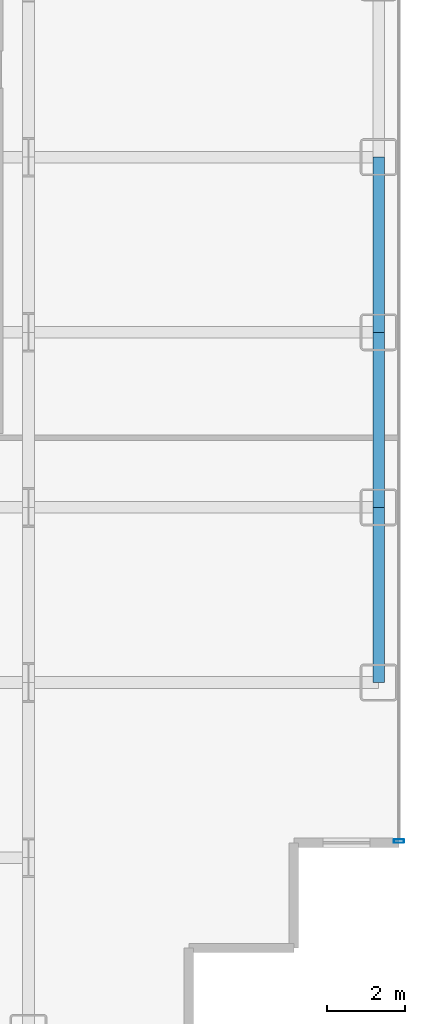
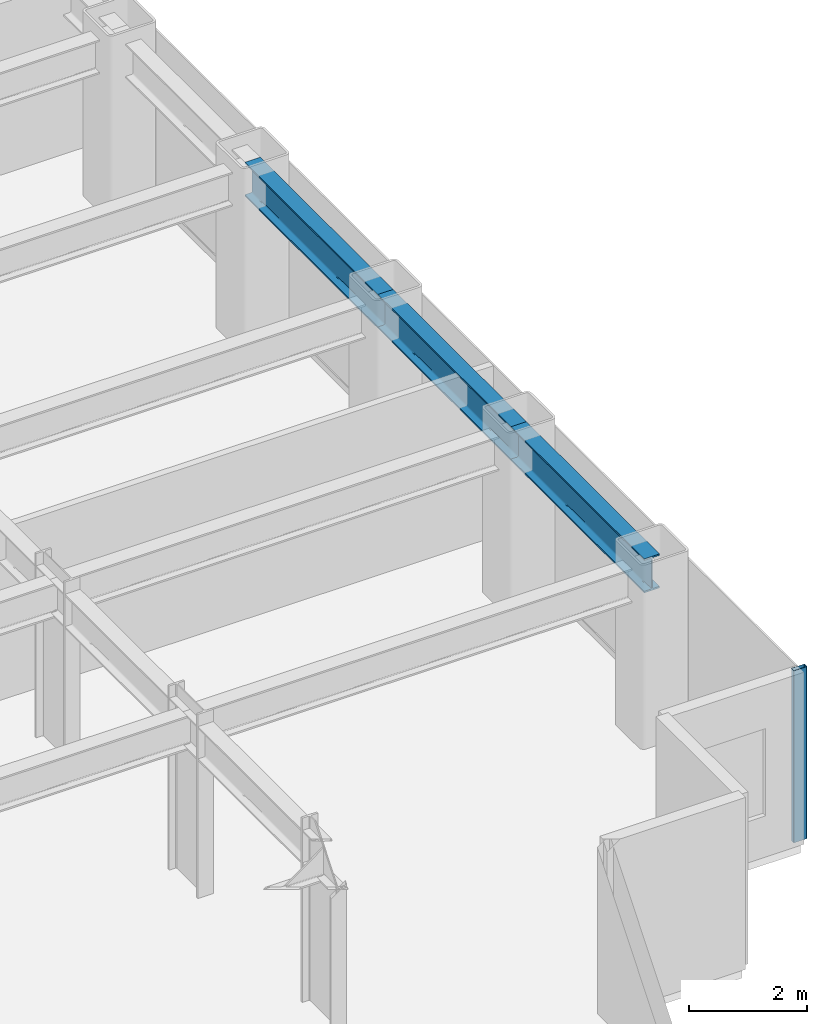
# One storey, part 16 of 27: 3 beams, 1 member, 1 element without a shape of its own.
"""IFC4 building model written with IfcOpenShell, lengths in metres."""

from ifc_helpers import new_model, si_unit, direction, frame, origin, origin_2d, place, context, subcontext, project, spatial, hollow_rectangle, i_section, extrude, source, transform, mapped, material, layer, layer_set, material_profile, profile_set, type_object, element, aggregate, save


model = new_model("IFC4")

# Units and contexts
model_context = context("Model", 3, precision=1e-05, world=origin(), true_north=direction((0.0, 1.0)))
body_context = subcontext(model_context, "Body", "Model", "MODEL_VIEW")
ifc_project = project(units=[si_unit("LENGTHUNIT", "METRE"), si_unit("AREAUNIT", "SQUARE_METRE"), si_unit("VOLUMEUNIT", "CUBIC_METRE"), si_unit("PLANEANGLEUNIT", "RADIAN"), si_unit("MASSUNIT", "GRAM", prefix="KILO")], contexts=[model_context])

# Site, building, storey
site_placement = place(None, origin())
site = spatial("IfcSite", under=ifc_project, at=site_placement, CompositionType="ELEMENT")
building_placement = place(site_placement, origin())
building = spatial("IfcBuilding", under=site, at=building_placement, Name="Nefas-Gora Pilgrimage Tower", CompositionType="ELEMENT")
storey_placement = place(building_placement, frame((0.0, 0.0, 48.199951171875)))
storey = spatial("IfcBuildingStorey", under=building, at=storey_placement, Name="L10", CompositionType="ELEMENT", Elevation=48.199951171875)

# Beams
ifc_material_1 = material(Name="Steel S355", Category="steel")
ifc_material_profile_1 = material_profile(ifc_material_1, i_section(OverallWidth=0.300048828125, OverallDepth=0.699951171875, WebThickness=0.01708984375, FlangeThickness=0.031982421875, FilletRadius=0.027099609375, at=origin_2d()), Name="HEB 700")
ifc_profile_set_1 = profile_set([ifc_material_profile_1], Name="Steel S355")
beam_type = type_object("IfcBeamType", Name="BM-SPN-HEB600", PredefinedType="SPANDREL", material=ifc_profile_set_1)
shared_shape_1 = source(origin(), body_context, "Body", "SweptSolid", [
    extrude(i_section(OverallWidth=0.300048828125, OverallDepth=0.699951171875, WebThickness=0.01708984375, FlangeThickness=0.031982421875, FilletRadius=0.027099609375, at=origin_2d()), origin(), (0.0, 0.0, 1.0), 4.5),
])
for number, where, z_axis, x_axis, name in (
    (1, (33.75, -13.5, 3.199951171875), (0.0, 1.0, 0.0), (-1.0, 0.0, 0.0), "L10 SP-01 beam"),
    (2, (33.75, -9.0, 3.199951171875), (0.0, 1.0, 0.0), (-1.0, 0.0, 0.0), "L10 SP-01 beam"),
    (3, (33.75, -4.5, 3.199951171875), (0.0, 1.0, 0.0), (-1.0, 0.0, 0.0), "L10 SP-01 beam"),
):
    element("IfcBeam", number, at=place(storey_placement, frame(where, z_axis=z_axis, x_axis=x_axis)), inside=storey, type_object=beam_type, Name=name, PredefinedType="SPANDREL", context=body_context, shape_type="MappedRepresentation", body=[
        mapped(shared_shape_1, transform((0.0, 0.0, 0.0), x_axis=(1.0, 0.0, 0.0), y_axis=(0.0, 1.0, 0.0), z_axis=(0.0, 0.0, 1.0), scale=1.0)),
    ])

# Curtain wall, member
ifc_material_2 = material(Name="Dark ceramic-fritted solar-control aluminium-glass curtain wall", Category="aluminium")
ifc_layer = layer(ifc_material_2, 0.219970703125)
ifc_layer_set = layer_set([ifc_layer], Name="Dark ceramic-fritted solar-control aluminium-glass curtain wall")
curtain_wall_type = type_object("IfcCurtainWallType", Name="CW-SYS-2", PredefinedType="NOTDEFINED", material=ifc_layer_set)
curtain_wall_placement = place(storey_placement, origin())
curtain_wall = element("IfcCurtainWall", 4, at=curtain_wall_placement, inside=storey, type_object=curtain_wall_type, Name="L10 Unitised Curtain Wall CW2", PredefinedType="NOTDEFINED")
ifc_material_3 = material(Name="Anodised architectural aluminium", Category="aluminium")
ifc_material_profile_2 = material_profile(ifc_material_3, hollow_rectangle(XDim=0.090087890625, YDim=0.260009765625, WallThickness=0.006103515625, InnerFilletRadius=0.006103515625, OuterFilletRadius=0.011962890625, at=origin_2d()), Name="ALU MULLION 90x260")
ifc_profile_set_2 = profile_set([ifc_material_profile_2], Name="Anodised architectural aluminium")
member_type = type_object("IfcMemberType", Name="CWM-MUL-2", PredefinedType="MULLION", material=ifc_profile_set_2)
shared_shape_2 = source(origin(), body_context, "Body", "SweptSolid", [
    extrude(hollow_rectangle(XDim=0.090087890625, YDim=0.260009765625, WallThickness=0.006103515625, InnerFilletRadius=0.006103515625, OuterFilletRadius=0.011962890625, at=origin_2d()), origin(), (0.0, 0.0, 1.0), 3.550048828125),
])
member_placement = place(storey_placement, frame((34.27001953125, -17.574951171875, 0.0), z_axis=(0.0, 0.0, 1.0), x_axis=(0.0, 1.0, 0.0)))
member = element("IfcMember", 5, at=member_placement, type_object=member_type, Name="CW2 Mullion 1", PredefinedType="MULLION", context=body_context, shape_type="MappedRepresentation", body=[
    mapped(shared_shape_2, transform((0.0, 0.0, 0.0), x_axis=(1.0, 0.0, 0.0), y_axis=(0.0, 1.0, 0.0), z_axis=(0.0, 0.0, 1.0), scale=1.0)),
])
aggregate(curtain_wall, [member])

save(model, "model.ifc")
